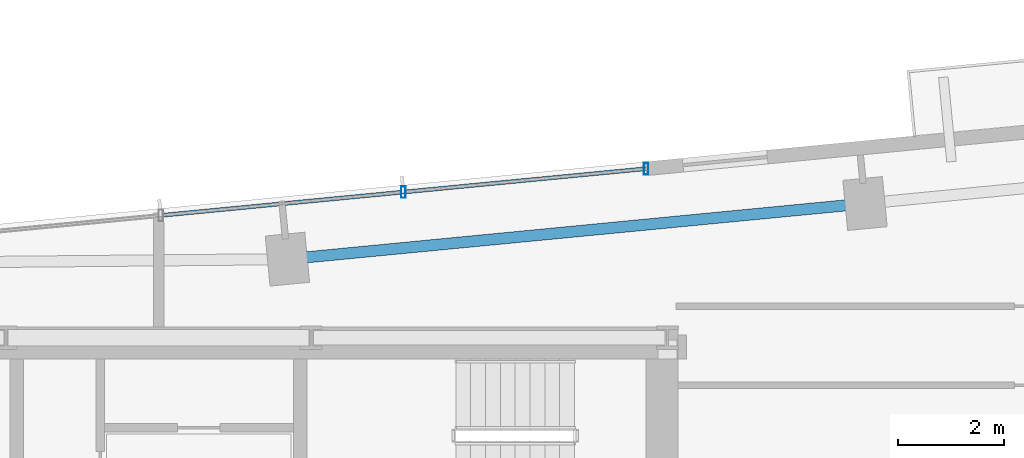
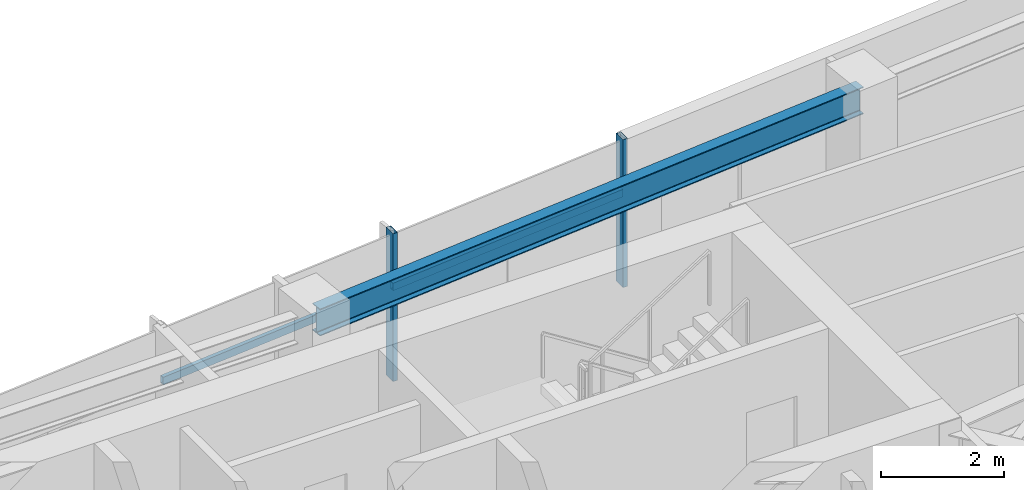
# One storey, part 7 of 18: 4 members, 1 beam, 1 element without a shape of its own.
"""IFC4 building model written with IfcOpenShell, lengths in metres."""

from ifc_helpers import new_model, si_unit, direction, frame, origin, origin_2d, place, context, subcontext, project, spatial, hollow_rectangle, i_section, extrude, source, transform, mapped, material, material_profile, profile_set, type_object, type_shapes, element, aggregate, save


model = new_model("IFC4")

# Units and contexts
model_context = context("Model", 3, precision=1e-05, world=origin(), true_north=direction((0.0, 1.0)))
body_context = subcontext(model_context, "Body", "Model", "MODEL_VIEW")
ifc_project = project(units=[si_unit("LENGTHUNIT", "METRE"), si_unit("AREAUNIT", "SQUARE_METRE"), si_unit("VOLUMEUNIT", "CUBIC_METRE"), si_unit("PLANEANGLEUNIT", "RADIAN"), si_unit("MASSUNIT", "GRAM", prefix="KILO")], contexts=[model_context])

# Site, building, storey
site_placement = place(None, origin())
site = spatial("IfcSite", under=ifc_project, at=site_placement, CompositionType="ELEMENT")
building_placement = place(site_placement, origin())
building = spatial("IfcBuilding", under=site, at=building_placement, Name="Astriad Promenade Condominiums", CompositionType="ELEMENT")
storey_placement = place(building_placement, frame((0.0, 0.0, 198.60009765625)))
storey = spatial("IfcBuildingStorey", under=building, at=storey_placement, Name="L57", CompositionType="ELEMENT", Elevation=198.60009765625)

# Beam
ifc_material_1 = material(Name="Steel ASTM A992 Grade 50", Category="steel")
ifc_material_profile_1 = material_profile(ifc_material_1, i_section(OverallWidth=0.210693359375, OverallDepth=0.53955078125, WebThickness=0.01171875, FlangeThickness=0.018798828125, FilletRadius=0.0166015625, at=origin_2d()), Name="W21X73")
ifc_profile_set_1 = profile_set([ifc_material_profile_1], Name="Steel ASTM A992 Grade 50")
beam_type = type_object("IfcBeamType", Name="STEEL SPANDREL BEAM W21X73", PredefinedType="SPANDREL", material=ifc_profile_set_1)
shared_shape_1 = source(origin(), body_context, "Body", "SweptSolid", [
    extrude(i_section(OverallWidth=0.210693359375, OverallDepth=0.53955078125, WebThickness=0.01171875, FlangeThickness=0.018798828125, FilletRadius=0.0166015625, at=origin_2d()), origin(), (0.0, 0.0, 1.0), 10.869873046875),
])
type_shapes(beam_type, [shared_shape_1])
beam_placement = place(storey_placement, frame((49.291015625, 26.52880859375, 2.670166015625), z_axis=(-0.995394779798, -0.09586048378, 0.0), x_axis=(0.09586048378, -0.995394779798, 0.0)))
element("IfcBeam", 1, at=beam_placement, inside=storey, type_object=beam_type, Name="Perimeter Spandrel Beam SP-N3-L57", PredefinedType="SPANDREL", context=body_context, shape_type="MappedRepresentation", body=[
    mapped(shared_shape_1, transform((0.0, 0.0, 0.0), scale=1.0)),
])

# Curtain wall, members
ifc_material_2 = material(Name="Anodised aluminium Black Dark Glass Unitised", Category="aluminium")
curtain_wall_type = type_object("IfcCurtainWallType", Name="CW-B34-DARK", PredefinedType="USERDEFINED", material=ifc_material_2)
curtain_wall_placement = place(storey_placement, origin())
curtain_wall = element("IfcCurtainWall", 2, at=curtain_wall_placement, inside=storey, type_object=curtain_wall_type, Name="CW-L57-N", ObjectType="UNITISED_CURTAIN_WALL", PredefinedType="USERDEFINED")
ifc_material_3 = material(Name="Anodised aluminium 6063-T6 Black", Category="aluminium")
ifc_material_profile_2 = material_profile(ifc_material_3, hollow_rectangle(XDim=0.0849609375, YDim=0.219970703125, WallThickness=0.0048828125, at=origin_2d()), Name="ALU-MUL-85X220")
ifc_profile_set_2 = profile_set([ifc_material_profile_2], Name="Anodised aluminium 6063-T6 Black")
member_type_1 = type_object("IfcMemberType", Name="MUL-ALU-MUL-85X220", PredefinedType="MULLION", material=ifc_profile_set_2)
shared_shape_2 = source(origin(), body_context, "Body", "SweptSolid", [
    extrude(hollow_rectangle(XDim=0.0849609375, YDim=0.219970703125, WallThickness=0.0048828125, at=origin_2d()), origin(), (0.0, 0.0, 1.0), 2.93994140625),
])
type_shapes(member_type_1, [shared_shape_2])
member_1_placement = place(storey_placement, frame((40.6201171875, 26.748779296875, 0.0), z_axis=(0.0, 0.0, 1.0), x_axis=(1.0, 0.0, 0.0)))
member_1 = element("IfcMember", 3, at=member_1_placement, type_object=member_type_1, Name="CW-L57-N-MUL-02", PredefinedType="MULLION", context=body_context, shape_type="MappedRepresentation", body=[
    mapped(shared_shape_2, transform((0.0, 0.0, 0.0), scale=1.0)),
])
member_2_placement = place(storey_placement, frame((45.198974609375, 27.189697265625, 0.0), z_axis=(0.0, 0.0, 1.0), x_axis=(1.0, 0.0, 0.0)))
member_2 = element("IfcMember", 4, at=member_2_placement, type_object=member_type_1, Name="CW-L57-N-MUL-03", PredefinedType="MULLION", context=body_context, shape_type="MappedRepresentation", body=[
    mapped(shared_shape_2, transform((0.0, 0.0, 0.0), scale=1.0)),
])
ifc_material_profile_3 = material_profile(ifc_material_3, hollow_rectangle(XDim=0.074951171875, YDim=0.14990234375, WallThickness=0.004150390625, at=origin_2d()), Name="ALU-TRN-75X150")
ifc_profile_set_3 = profile_set([ifc_material_profile_3], Name="Anodised aluminium 6063-T6 Black")
member_type_2 = type_object("IfcMemberType", Name="TRN-ALU-TRN-75X150", PredefinedType="USERDEFINED", material=ifc_profile_set_3)
shared_shape_3 = source(origin(), body_context, "Body", "SweptSolid", [
    extrude(hollow_rectangle(XDim=0.074951171875, YDim=0.14990234375, WallThickness=0.004150390625, at=origin_2d()), origin(), (0.0, 0.0, 1.0), 4.60009765625),
])
type_shapes(member_type_2, [shared_shape_3])
member_3_placement = place(storey_placement, frame((36.041259765625, 26.307861328125, 1.82275390625), z_axis=(0.995395697572, 0.095850953336, 0.0), x_axis=(-0.095850953336, 0.995395697572, 0.0)))
member_3 = element("IfcMember", 5, at=member_3_placement, type_object=member_type_2, Name="CW-L57-N-TRN-01-0", ObjectType="TRANSOM", PredefinedType="USERDEFINED", context=body_context, shape_type="MappedRepresentation", body=[
    mapped(shared_shape_3, transform((0.0, 0.0, 0.0), scale=1.0)),
])
member_4_placement = place(storey_placement, frame((40.6201171875, 26.748779296875, 1.82275390625), z_axis=(0.995395697572, 0.095850953336, 0.0), x_axis=(-0.095850953336, 0.995395697572, 0.0)))
member_4 = element("IfcMember", 6, at=member_4_placement, type_object=member_type_2, Name="CW-L57-N-TRN-02-0", ObjectType="TRANSOM", PredefinedType="USERDEFINED", context=body_context, shape_type="MappedRepresentation", body=[
    mapped(shared_shape_3, transform((0.0, 0.0, 0.0), scale=1.0)),
])
aggregate(curtain_wall, [member_1, member_2, member_3, member_4])

save(model, "model.ifc")
